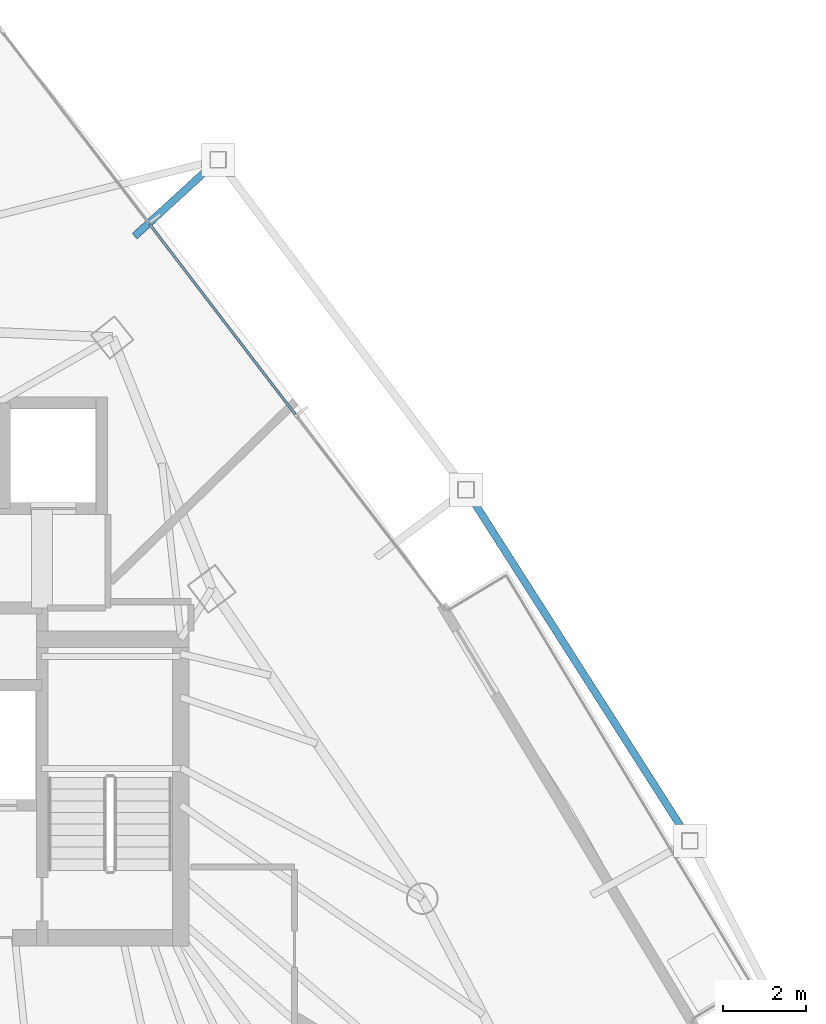
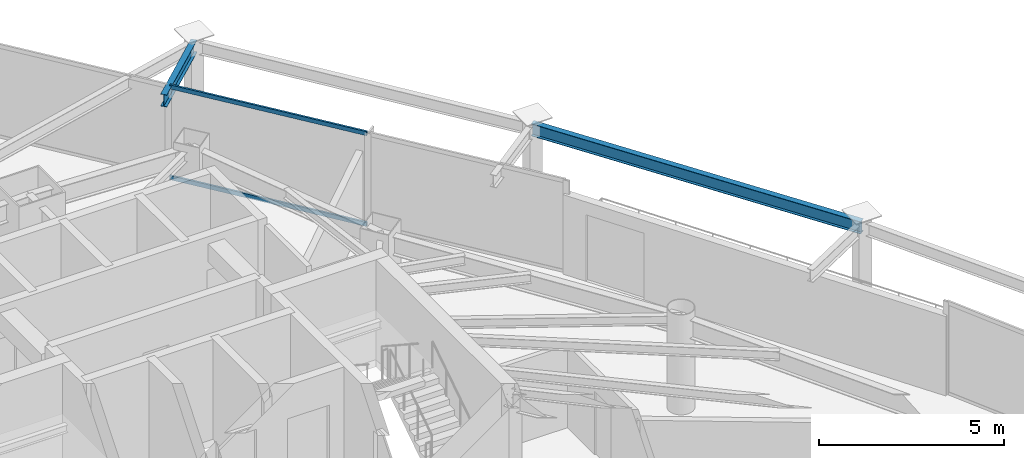
# One storey, part 23 of 31: 2 beams, 2 members, 1 element without a shape of its own.
"""IFC4 building model written with IfcOpenShell, lengths in metres."""

from ifc_helpers import new_model, si_unit, direction, frame, origin, origin_2d, place, context, subcontext, project, spatial, hollow_rectangle, i_section, extrude, material, layer, layer_set, material_profile, profile_set, type_object, element, aggregate, save


model = new_model("IFC4")

# Units and contexts
model_context = context("Model", 3, precision=1e-05, world=origin(), true_north=direction((0.0, 1.0)))
body_context = subcontext(model_context, "Body", "Model", "MODEL_VIEW")
ifc_project = project(units=[si_unit("LENGTHUNIT", "METRE"), si_unit("AREAUNIT", "SQUARE_METRE"), si_unit("VOLUMEUNIT", "CUBIC_METRE"), si_unit("PLANEANGLEUNIT", "RADIAN"), si_unit("MASSUNIT", "GRAM", prefix="KILO")], contexts=[model_context])

# Site, building, storey
site_placement = place(None, origin())
site = spatial("IfcSite", under=ifc_project, at=site_placement, CompositionType="ELEMENT")
building_placement = place(site_placement, origin())
building = spatial("IfcBuilding", under=site, at=building_placement, Name="Orvanel Arch Residences", CompositionType="ELEMENT")
storey_placement = place(building_placement, frame((0.0, 0.0, 113.300048828125)))
storey = spatial("IfcBuildingStorey", under=building, at=storey_placement, Name="L31", CompositionType="ELEMENT", Elevation=113.300048828125)

# Beams
ifc_material_1 = material(Name="Structural steel AS/NZS 3679.1 Grade 300 (300 MPa)", Category="steel")
ifc_material_profile_1 = material_profile(ifc_material_1, i_section(OverallWidth=0.177978515625, OverallDepth=0.406005859375, WebThickness=0.0078125, FlangeThickness=0.0126953125, at=origin_2d()), Name="410UB59.7")
ifc_profile_set_1 = profile_set([ifc_material_profile_1], Name="Structural steel AS/NZS 3679.1 Grade 300 (300 MPa)")
beam_type = type_object("IfcBeamType", Name="OB-410UB-EXT", PredefinedType="SPANDREL", material=ifc_profile_set_1)
beam_1_placement = place(storey_placement, frame((51.888916015625, 29.032958984375, 2.85693359375), z_axis=(-0.537697483728, 0.843137839261, 0.0), x_axis=(-0.843137839261, -0.537697483728, 0.0)))
element("IfcBeam", 1, at=beam_1_placement, inside=storey, type_object=beam_type, Name="L31 Outer Perimeter Floor Ring Beam 10", PredefinedType="SPANDREL", context=body_context, shape_type="SweptSolid", body=[
    extrude(i_section(OverallWidth=0.177978515625, OverallDepth=0.406005859375, WebThickness=0.0078125, FlangeThickness=0.0126953125, at=origin_2d()), origin(), (0.0, 0.0, 1.0), 10.048095703125),
])
beam_2_placement = place(storey_placement, frame((38.492919921875, 43.62109375, 2.85693359375), z_axis=(0.737789284666, 0.675031089234, 0.0), x_axis=(-0.675031089234, 0.737789284666, 0.0)))
element("IfcBeam", 2, at=beam_2_placement, inside=storey, type_object=beam_type, Name="L31 Outer Frame Radial Tie Beam 12", PredefinedType="SPANDREL", context=body_context, shape_type="SweptSolid", body=[
    extrude(i_section(OverallWidth=0.177978515625, OverallDepth=0.406005859375, WebThickness=0.0078125, FlangeThickness=0.0126953125, at=origin_2d()), origin(), (0.0, 0.0, 1.0), 2.72705078125),
])

# Curtain wall, members
ifc_material_2 = material(Name="Bronze-anodised aluminium AA6063-T6", Category="aluminium")
ifc_layer = layer(ifc_material_2, 0.179931640625)
ifc_layer_set = layer_set([ifc_layer], Name="Bronze-anodised aluminium AA6063-T6")
curtain_wall_type = type_object("IfcCurtainWallType", Name="CW3-MID-SYS", PredefinedType="NOTDEFINED", material=ifc_layer_set)
curtain_wall_placement = place(storey_placement, origin())
curtain_wall = element("IfcCurtainWall", 3, at=curtain_wall_placement, inside=storey, type_object=curtain_wall_type, Name="L31 CW3-MID-SYS Unitised Curtain Wall", PredefinedType="NOTDEFINED")
ifc_material_profile_2 = material_profile(ifc_material_2, hollow_rectangle(XDim=0.06005859375, YDim=0.135009765625, WallThickness=0.00390625, at=origin_2d()), Name="ALU135x60x4")
ifc_profile_set_2 = profile_set([ifc_material_profile_2], Name="Bronze-anodised aluminium AA6063-T6")
member_type = type_object("IfcMemberType", Name="TRN-135x60", PredefinedType="USERDEFINED", material=ifc_profile_set_2)
member_1_placement = place(storey_placement, frame((42.36669921875, 39.321044921875, 0.030029296875), z_axis=(-0.607893853719, 0.794018301181, 0.0), x_axis=(-0.794018301181, -0.607893853719, 0.0)))
member_1 = element("IfcMember", 4, at=member_1_placement, type_object=member_type, Name="CW-S3 transom 2.1", ObjectType="TRANSOM", PredefinedType="USERDEFINED", context=body_context, shape_type="SweptSolid", body=[
    extrude(hollow_rectangle(XDim=0.06005859375, YDim=0.135009765625, WallThickness=0.00390625, at=origin_2d()), origin(), (0.0, 0.0, 1.0), 5.778076171875),
])
member_2_placement = place(storey_placement, frame((42.36669921875, 39.321044921875, 3.030029296875), z_axis=(-0.607893853719, 0.794018301181, 0.0), x_axis=(-0.794018301181, -0.607893853719, 0.0)))
member_2 = element("IfcMember", 5, at=member_2_placement, type_object=member_type, Name="CW-S3 transom 2.2", ObjectType="TRANSOM", PredefinedType="USERDEFINED", context=body_context, shape_type="SweptSolid", body=[
    extrude(hollow_rectangle(XDim=0.06005859375, YDim=0.135009765625, WallThickness=0.00390625, at=origin_2d()), origin(), (0.0, 0.0, 1.0), 5.778076171875),
])
aggregate(curtain_wall, [member_1, member_2])

save(model, "model.ifc")
